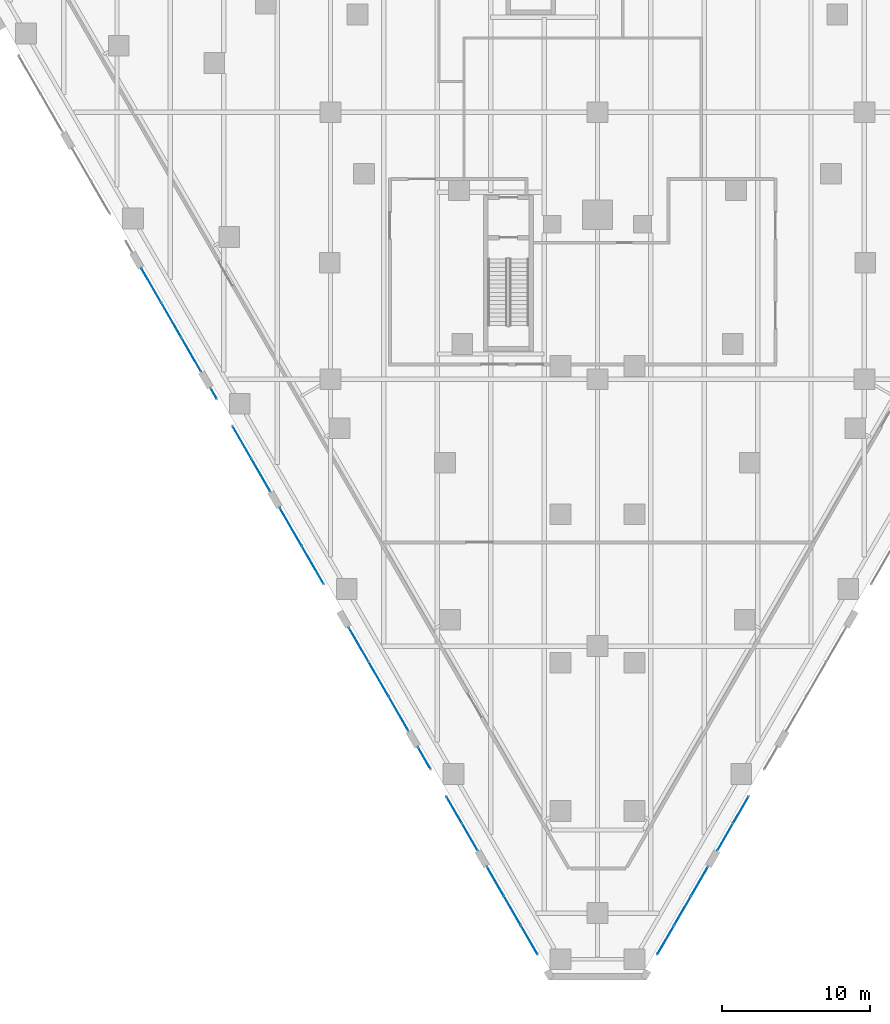
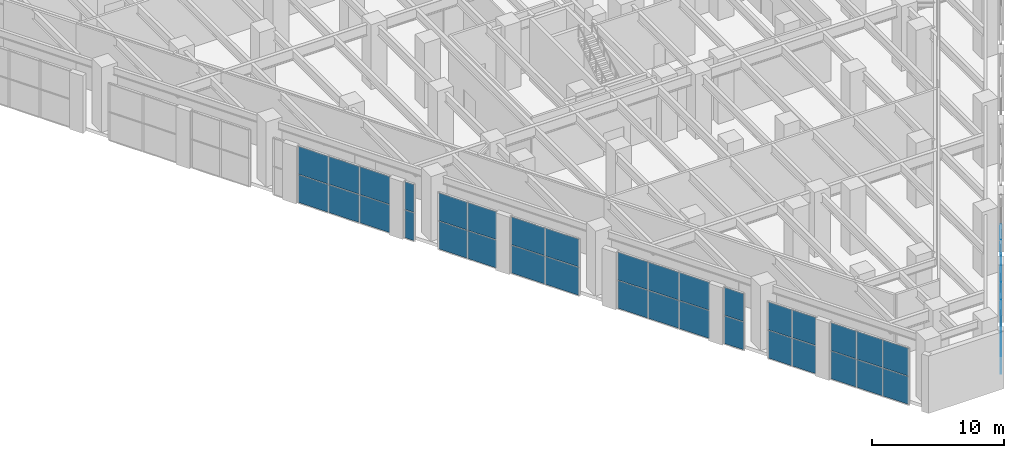
# One storey, part 24 of 37: 44 plates, 10 elements without a shape of their own.
"""IFC4 building model written with IfcOpenShell, lengths in metres."""

from ifc_helpers import new_model, si_unit, direction, frame, origin, origin_2d, place, context, subcontext, project, spatial, rectangle, extrude, material, layer, layer_set, type_object, element, aggregate, save


model = new_model("IFC4")

# Units and contexts
model_context = context("Model", 3, precision=1e-05, world=origin(), true_north=direction((0.0, 1.0)))
body_context = subcontext(model_context, "Body", "Model", "MODEL_VIEW")
ifc_project = project(units=[si_unit("LENGTHUNIT", "METRE"), si_unit("AREAUNIT", "SQUARE_METRE"), si_unit("VOLUMEUNIT", "CUBIC_METRE"), si_unit("PLANEANGLEUNIT", "RADIAN"), si_unit("MASSUNIT", "GRAM", prefix="KILO")], contexts=[model_context])

# Site, building, storey
site_placement = place(None, origin())
site = spatial("IfcSite", under=ifc_project, at=site_placement, CompositionType="ELEMENT")
building_placement = place(site_placement, origin())
building = spatial("IfcBuilding", under=site, at=building_placement, Name="Aloe Facet Convention Tower", CompositionType="ELEMENT")
storey_placement = place(building_placement, frame((0.0, 0.0, 7.5)))
storey = spatial("IfcBuildingStorey", under=building, at=storey_placement, Name="L01", CompositionType="ELEMENT", Elevation=7.5)

# Curtain wall, plates
ifc_material_1 = material(Name="Aluminium, anodised", Category="aluminium")
curtain_wall_type = type_object("IfcCurtainWallType", Name="EV-CW-SHOP", PredefinedType="USERDEFINED", material=ifc_material_1)
curtain_wall_1_placement = place(storey_placement, origin())
curtain_wall_1 = element("IfcCurtainWall", 1, at=curtain_wall_1_placement, inside=storey, type_object=curtain_wall_type, Name="CW-L01-W12", ObjectType="STICK SHOPFRONT GLAZING", PredefinedType="USERDEFINED")
ifc_material_2 = material(Name="Clear double glazing", Category="glass")
ifc_layer = layer(ifc_material_2, 0.028076171875)
ifc_layer_set = layer_set([ifc_layer], Name="EV-PANEL-SHOP")
plate_type = type_object("IfcPlateType", Name="EV-PANEL-SHOP", PredefinedType="CURTAIN_PANEL", material=ifc_layer_set)
plate_1_placement = place(storey_placement, frame((49.9150390625, 87.3291015625, -0.23974609375), z_axis=(0.0, 0.0, 1.0), x_axis=(0.500000000015, -0.866025403776, 0.0)))
plate_1 = element("IfcPlate", 2, at=plate_1_placement, type_object=plate_type, Name="CW-L01-W12 panel 1.1", PredefinedType="CURTAIN_PANEL", context=body_context, shape_type="SweptSolid", body=[
    extrude(rectangle(XDim=2.6171875, YDim=0.028076171875, at=origin_2d()), origin(), (0.0, 0.0, 1.0), 2.566162109375),
])
plate_2_placement = place(storey_placement, frame((49.9150390625, 87.3291015625, 2.38623046875), z_axis=(0.0, 0.0, 1.0), x_axis=(0.500000000015, -0.866025403776, 0.0)))
plate_2 = element("IfcPlate", 3, at=plate_2_placement, type_object=plate_type, Name="CW-L01-W12 panel 1.2", PredefinedType="CURTAIN_PANEL", context=body_context, shape_type="SweptSolid", body=[
    extrude(rectangle(XDim=2.6171875, YDim=0.028076171875, at=origin_2d()), origin(), (0.0, 0.0, 1.0), 2.566162109375),
])
plate_3_placement = place(storey_placement, frame((51.260986328125, 84.997802734375, -0.23974609375), z_axis=(0.0, 0.0, 1.0), x_axis=(0.500000000015, -0.866025403776, 0.0)))
plate_3 = element("IfcPlate", 4, at=plate_3_placement, type_object=plate_type, Name="CW-L01-W12 panel 2.1", PredefinedType="CURTAIN_PANEL", context=body_context, shape_type="SweptSolid", body=[
    extrude(rectangle(XDim=2.647216796875, YDim=0.028076171875, at=origin_2d()), origin(), (0.0, 0.0, 1.0), 2.566162109375),
])
plate_4_placement = place(storey_placement, frame((51.260986328125, 84.997802734375, 2.38623046875), z_axis=(0.0, 0.0, 1.0), x_axis=(0.500000000015, -0.866025403776, 0.0)))
plate_4 = element("IfcPlate", 5, at=plate_4_placement, type_object=plate_type, Name="CW-L01-W12 panel 2.2", PredefinedType="CURTAIN_PANEL", context=body_context, shape_type="SweptSolid", body=[
    extrude(rectangle(XDim=2.647216796875, YDim=0.028076171875, at=origin_2d()), origin(), (0.0, 0.0, 1.0), 2.566162109375),
])
plate_5_placement = place(storey_placement, frame((52.607177734375, 82.666259765625, -0.23974609375), z_axis=(0.0, 0.0, 1.0), x_axis=(0.500000000015, -0.866025403776, 0.0)))
plate_5 = element("IfcPlate", 6, at=plate_5_placement, type_object=plate_type, Name="CW-L01-W12 panel 3.1", PredefinedType="CURTAIN_PANEL", context=body_context, shape_type="SweptSolid", body=[
    extrude(rectangle(XDim=2.6171875, YDim=0.028076171875, at=origin_2d()), origin(), (0.0, 0.0, 1.0), 2.566162109375),
])
plate_6_placement = place(storey_placement, frame((52.607177734375, 82.666259765625, 2.38623046875), z_axis=(0.0, 0.0, 1.0), x_axis=(0.500000000015, -0.866025403776, 0.0)))
plate_6 = element("IfcPlate", 7, at=plate_6_placement, type_object=plate_type, Name="CW-L01-W12 panel 3.2", PredefinedType="CURTAIN_PANEL", context=body_context, shape_type="SweptSolid", body=[
    extrude(rectangle(XDim=2.6171875, YDim=0.028076171875, at=origin_2d()), origin(), (0.0, 0.0, 1.0), 2.566162109375),
])
aggregate(curtain_wall_1, [plate_1, plate_2, plate_3, plate_4, plate_5, plate_6])

curtain_wall_2_placement = place(storey_placement, origin())
curtain_wall_2 = element("IfcCurtainWall", 8, at=curtain_wall_2_placement, inside=storey, type_object=curtain_wall_type, Name="CW-L01-W14-1", ObjectType="STICK SHOPFRONT GLAZING", PredefinedType="USERDEFINED")
plate_7_placement = place(storey_placement, frame((54.1220703125, 80.042236328125, -0.23974609375), z_axis=(0.0, 0.0, 1.0), x_axis=(0.499999999849, -0.866025403872, 0.0)))
plate_7 = element("IfcPlate", 9, at=plate_7_placement, type_object=plate_type, Name="CW-L01-W14-1 panel 1.1", PredefinedType="CURTAIN_PANEL", context=body_context, shape_type="SweptSolid", body=[
    extrude(rectangle(XDim=0.802978515625, YDim=0.028076171875, at=origin_2d()), origin(), (0.0, 0.0, 1.0), 2.566162109375),
])
plate_8_placement = place(storey_placement, frame((54.1220703125, 80.042236328125, 2.38623046875), z_axis=(0.0, 0.0, 1.0), x_axis=(0.499999999849, -0.866025403872, 0.0)))
plate_8 = element("IfcPlate", 10, at=plate_8_placement, type_object=plate_type, Name="CW-L01-W14-1 panel 1.2", PredefinedType="CURTAIN_PANEL", context=body_context, shape_type="SweptSolid", body=[
    extrude(rectangle(XDim=0.802978515625, YDim=0.028076171875, at=origin_2d()), origin(), (0.0, 0.0, 1.0), 2.566162109375),
])
aggregate(curtain_wall_2, [plate_7, plate_8])

curtain_wall_3_placement = place(storey_placement, origin())
curtain_wall_3 = element("IfcCurtainWall", 11, at=curtain_wall_3_placement, inside=storey, type_object=curtain_wall_type, Name="CW-L01-W14-2", ObjectType="STICK SHOPFRONT GLAZING", PredefinedType="USERDEFINED")
plate_9_placement = place(storey_placement, frame((56.028564453125, 76.740234375, -0.23974609375), z_axis=(0.0, 0.0, 1.0), x_axis=(0.50000000003, -0.866025403767, 0.0)))
plate_9 = element("IfcPlate", 12, at=plate_9_placement, type_object=plate_type, Name="CW-L01-W14-2 panel 1.1", PredefinedType="CURTAIN_PANEL", context=body_context, shape_type="SweptSolid", body=[
    extrude(rectangle(XDim=2.484619140625, YDim=0.028076171875, at=origin_2d()), origin(), (0.0, 0.0, 1.0), 2.566162109375),
])
plate_10_placement = place(storey_placement, frame((56.028564453125, 76.740234375, 2.38623046875), z_axis=(0.0, 0.0, 1.0), x_axis=(0.50000000003, -0.866025403767, 0.0)))
plate_10 = element("IfcPlate", 13, at=plate_10_placement, type_object=plate_type, Name="CW-L01-W14-2 panel 1.2", PredefinedType="CURTAIN_PANEL", context=body_context, shape_type="SweptSolid", body=[
    extrude(rectangle(XDim=2.484619140625, YDim=0.028076171875, at=origin_2d()), origin(), (0.0, 0.0, 1.0), 2.566162109375),
])
plate_11_placement = place(storey_placement, frame((57.301025390625, 74.536376953125, -0.23974609375), z_axis=(0.0, 0.0, 1.0), x_axis=(0.50000000003, -0.866025403767, 0.0)))
plate_11 = element("IfcPlate", 14, at=plate_11_placement, type_object=plate_type, Name="CW-L01-W14-2 panel 2.1", PredefinedType="CURTAIN_PANEL", context=body_context, shape_type="SweptSolid", body=[
    extrude(rectangle(XDim=2.484619140625, YDim=0.028076171875, at=origin_2d()), origin(), (0.0, 0.0, 1.0), 2.566162109375),
])
plate_12_placement = place(storey_placement, frame((57.301025390625, 74.536376953125, 2.38623046875), z_axis=(0.0, 0.0, 1.0), x_axis=(0.50000000003, -0.866025403767, 0.0)))
plate_12 = element("IfcPlate", 15, at=plate_12_placement, type_object=plate_type, Name="CW-L01-W14-2 panel 2.2", PredefinedType="CURTAIN_PANEL", context=body_context, shape_type="SweptSolid", body=[
    extrude(rectangle(XDim=2.484619140625, YDim=0.028076171875, at=origin_2d()), origin(), (0.0, 0.0, 1.0), 2.566162109375),
])
aggregate(curtain_wall_3, [plate_9, plate_10, plate_11, plate_12])

curtain_wall_4_placement = place(storey_placement, origin())
curtain_wall_4 = element("IfcCurtainWall", 16, at=curtain_wall_4_placement, inside=storey, type_object=curtain_wall_type, Name="CW-L01-W16", ObjectType="STICK SHOPFRONT GLAZING", PredefinedType="USERDEFINED")
plate_13_placement = place(storey_placement, frame((59.31201171875, 71.05322265625, -0.23974609375), z_axis=(0.0, 0.0, 1.0), x_axis=(0.50000000003, -0.866025403767, 0.0)))
plate_13 = element("IfcPlate", 17, at=plate_13_placement, type_object=plate_type, Name="CW-L01-W16 panel 1.1", PredefinedType="CURTAIN_PANEL", context=body_context, shape_type="SweptSolid", body=[
    extrude(rectangle(XDim=2.91943359375, YDim=0.028076171875, at=origin_2d()), origin(), (0.0, 0.0, 1.0), 2.566162109375),
])
plate_14_placement = place(storey_placement, frame((59.31201171875, 71.05322265625, 2.38623046875), z_axis=(0.0, 0.0, 1.0), x_axis=(0.50000000003, -0.866025403767, 0.0)))
plate_14 = element("IfcPlate", 18, at=plate_14_placement, type_object=plate_type, Name="CW-L01-W16 panel 1.2", PredefinedType="CURTAIN_PANEL", context=body_context, shape_type="SweptSolid", body=[
    extrude(rectangle(XDim=2.91943359375, YDim=0.028076171875, at=origin_2d()), origin(), (0.0, 0.0, 1.0), 2.566162109375),
])
plate_15_placement = place(storey_placement, frame((60.8017578125, 68.47314453125, -0.23974609375), z_axis=(0.0, 0.0, 1.0), x_axis=(0.50000000003, -0.866025403767, 0.0)))
plate_15 = element("IfcPlate", 19, at=plate_15_placement, type_object=plate_type, Name="CW-L01-W16 panel 2.1", PredefinedType="CURTAIN_PANEL", context=body_context, shape_type="SweptSolid", body=[
    extrude(rectangle(XDim=2.91943359375, YDim=0.028076171875, at=origin_2d()), origin(), (0.0, 0.0, 1.0), 2.566162109375),
])
plate_16_placement = place(storey_placement, frame((60.8017578125, 68.47314453125, 2.38623046875), z_axis=(0.0, 0.0, 1.0), x_axis=(0.50000000003, -0.866025403767, 0.0)))
plate_16 = element("IfcPlate", 20, at=plate_16_placement, type_object=plate_type, Name="CW-L01-W16 panel 2.2", PredefinedType="CURTAIN_PANEL", context=body_context, shape_type="SweptSolid", body=[
    extrude(rectangle(XDim=2.91943359375, YDim=0.028076171875, at=origin_2d()), origin(), (0.0, 0.0, 1.0), 2.566162109375),
])
aggregate(curtain_wall_4, [plate_13, plate_14, plate_15, plate_16])

curtain_wall_5_placement = place(storey_placement, origin())
curtain_wall_5 = element("IfcCurtainWall", 21, at=curtain_wall_5_placement, inside=storey, type_object=curtain_wall_type, Name="CW-L01-W18", ObjectType="STICK SHOPFRONT GLAZING", PredefinedType="USERDEFINED")
plate_17_placement = place(storey_placement, frame((63.89697265625, 63.111572265625, -0.23974609375), z_axis=(0.0, 0.0, 1.0), x_axis=(0.499999999924, -0.866025403828, 0.0)))
plate_17 = element("IfcPlate", 22, at=plate_17_placement, type_object=plate_type, Name="CW-L01-W18 panel 1.1", PredefinedType="CURTAIN_PANEL", context=body_context, shape_type="SweptSolid", body=[
    extrude(rectangle(XDim=2.6171875, YDim=0.028076171875, at=origin_2d()), origin(), (0.0, 0.0, 1.0), 2.566162109375),
])
plate_18_placement = place(storey_placement, frame((63.89697265625, 63.111572265625, 2.38623046875), z_axis=(0.0, 0.0, 1.0), x_axis=(0.499999999924, -0.866025403828, 0.0)))
plate_18 = element("IfcPlate", 23, at=plate_18_placement, type_object=plate_type, Name="CW-L01-W18 panel 1.2", PredefinedType="CURTAIN_PANEL", context=body_context, shape_type="SweptSolid", body=[
    extrude(rectangle(XDim=2.6171875, YDim=0.028076171875, at=origin_2d()), origin(), (0.0, 0.0, 1.0), 2.566162109375),
])
plate_19_placement = place(storey_placement, frame((65.2431640625, 60.780029296875, -0.23974609375), z_axis=(0.0, 0.0, 1.0), x_axis=(0.499999999924, -0.866025403828, 0.0)))
plate_19 = element("IfcPlate", 24, at=plate_19_placement, type_object=plate_type, Name="CW-L01-W18 panel 2.1", PredefinedType="CURTAIN_PANEL", context=body_context, shape_type="SweptSolid", body=[
    extrude(rectangle(XDim=2.647216796875, YDim=0.028076171875, at=origin_2d()), origin(), (0.0, 0.0, 1.0), 2.566162109375),
])
plate_20_placement = place(storey_placement, frame((65.2431640625, 60.780029296875, 2.38623046875), z_axis=(0.0, 0.0, 1.0), x_axis=(0.499999999924, -0.866025403828, 0.0)))
plate_20 = element("IfcPlate", 25, at=plate_20_placement, type_object=plate_type, Name="CW-L01-W18 panel 2.2", PredefinedType="CURTAIN_PANEL", context=body_context, shape_type="SweptSolid", body=[
    extrude(rectangle(XDim=2.647216796875, YDim=0.028076171875, at=origin_2d()), origin(), (0.0, 0.0, 1.0), 2.566162109375),
])
plate_21_placement = place(storey_placement, frame((66.589111328125, 58.44873046875, -0.23974609375), z_axis=(0.0, 0.0, 1.0), x_axis=(0.499999999924, -0.866025403828, 0.0)))
plate_21 = element("IfcPlate", 26, at=plate_21_placement, type_object=plate_type, Name="CW-L01-W18 panel 3.1", PredefinedType="CURTAIN_PANEL", context=body_context, shape_type="SweptSolid", body=[
    extrude(rectangle(XDim=2.6171875, YDim=0.028076171875, at=origin_2d()), origin(), (0.0, 0.0, 1.0), 2.566162109375),
])
plate_22_placement = place(storey_placement, frame((66.589111328125, 58.44873046875, 2.38623046875), z_axis=(0.0, 0.0, 1.0), x_axis=(0.499999999924, -0.866025403828, 0.0)))
plate_22 = element("IfcPlate", 27, at=plate_22_placement, type_object=plate_type, Name="CW-L01-W18 panel 3.2", PredefinedType="CURTAIN_PANEL", context=body_context, shape_type="SweptSolid", body=[
    extrude(rectangle(XDim=2.6171875, YDim=0.028076171875, at=origin_2d()), origin(), (0.0, 0.0, 1.0), 2.566162109375),
])
aggregate(curtain_wall_5, [plate_17, plate_18, plate_19, plate_20, plate_21, plate_22])

curtain_wall_6_placement = place(storey_placement, origin())
curtain_wall_6 = element("IfcCurtainWall", 28, at=curtain_wall_6_placement, inside=storey, type_object=curtain_wall_type, Name="CW-L01-W20-1", ObjectType="STICK SHOPFRONT GLAZING", PredefinedType="USERDEFINED")
plate_23_placement = place(storey_placement, frame((68.32177734375, 55.447998046875, -0.23974609375), z_axis=(0.0, 0.0, 1.0), x_axis=(0.500000000121, -0.866025403715, 0.0)))
plate_23 = element("IfcPlate", 29, at=plate_23_placement, type_object=plate_type, Name="CW-L01-W20-1 panel 1.1", PredefinedType="CURTAIN_PANEL", context=body_context, shape_type="SweptSolid", body=[
    extrude(rectangle(XDim=1.6728515625, YDim=0.028076171875, at=origin_2d()), origin(), (0.0, 0.0, 1.0), 2.566162109375),
])
plate_24_placement = place(storey_placement, frame((68.32177734375, 55.447998046875, 2.38623046875), z_axis=(0.0, 0.0, 1.0), x_axis=(0.500000000121, -0.866025403715, 0.0)))
plate_24 = element("IfcPlate", 30, at=plate_24_placement, type_object=plate_type, Name="CW-L01-W20-1 panel 1.2", PredefinedType="CURTAIN_PANEL", context=body_context, shape_type="SweptSolid", body=[
    extrude(rectangle(XDim=1.6728515625, YDim=0.028076171875, at=origin_2d()), origin(), (0.0, 0.0, 1.0), 2.566162109375),
])
aggregate(curtain_wall_6, [plate_23, plate_24])

curtain_wall_7_placement = place(storey_placement, origin())
curtain_wall_7 = element("IfcCurtainWall", 31, at=curtain_wall_7_placement, inside=storey, type_object=curtain_wall_type, Name="CW-L01-W20-2", ObjectType="STICK SHOPFRONT GLAZING", PredefinedType="USERDEFINED")
plate_25_placement = place(storey_placement, frame((70.3369140625, 51.95751953125, -0.23974609375), z_axis=(0.0, 0.0, 1.0), x_axis=(0.499999999955, -0.866025403811, 0.0)))
plate_25 = element("IfcPlate", 32, at=plate_25_placement, type_object=plate_type, Name="CW-L01-W20-2 panel 1.1", PredefinedType="CURTAIN_PANEL", context=body_context, shape_type="SweptSolid", body=[
    extrude(rectangle(XDim=2.0498046875, YDim=0.028076171875, at=origin_2d()), origin(), (0.0, 0.0, 1.0), 2.566162109375),
])
plate_26_placement = place(storey_placement, frame((70.3369140625, 51.95751953125, 2.38623046875), z_axis=(0.0, 0.0, 1.0), x_axis=(0.499999999955, -0.866025403811, 0.0)))
plate_26 = element("IfcPlate", 33, at=plate_26_placement, type_object=plate_type, Name="CW-L01-W20-2 panel 1.2", PredefinedType="CURTAIN_PANEL", context=body_context, shape_type="SweptSolid", body=[
    extrude(rectangle(XDim=2.0498046875, YDim=0.028076171875, at=origin_2d()), origin(), (0.0, 0.0, 1.0), 2.566162109375),
])
plate_27_placement = place(storey_placement, frame((71.391845703125, 50.13037109375, -0.23974609375), z_axis=(0.0, 0.0, 1.0), x_axis=(0.499999999955, -0.866025403811, 0.0)))
plate_27 = element("IfcPlate", 34, at=plate_27_placement, type_object=plate_type, Name="CW-L01-W20-2 panel 2.1", PredefinedType="CURTAIN_PANEL", context=body_context, shape_type="SweptSolid", body=[
    extrude(rectangle(XDim=2.0498046875, YDim=0.028076171875, at=origin_2d()), origin(), (0.0, 0.0, 1.0), 2.566162109375),
])
plate_28_placement = place(storey_placement, frame((71.391845703125, 50.13037109375, 2.38623046875), z_axis=(0.0, 0.0, 1.0), x_axis=(0.499999999955, -0.866025403811, 0.0)))
plate_28 = element("IfcPlate", 35, at=plate_28_placement, type_object=plate_type, Name="CW-L01-W20-2 panel 2.2", PredefinedType="CURTAIN_PANEL", context=body_context, shape_type="SweptSolid", body=[
    extrude(rectangle(XDim=2.0498046875, YDim=0.028076171875, at=origin_2d()), origin(), (0.0, 0.0, 1.0), 2.566162109375),
])
aggregate(curtain_wall_7, [plate_25, plate_26, plate_27, plate_28])

curtain_wall_8_placement = place(storey_placement, origin())
curtain_wall_8 = element("IfcCurtainWall", 36, at=curtain_wall_8_placement, inside=storey, type_object=curtain_wall_type, Name="CW-L01-W22", ObjectType="STICK SHOPFRONT GLAZING", PredefinedType="USERDEFINED")
plate_29_placement = place(storey_placement, frame((73.11572265625, 47.14453125, -0.23974609375), z_axis=(0.0, 0.0, 1.0), x_axis=(0.500000000015, -0.866025403776, 0.0)))
plate_29 = element("IfcPlate", 37, at=plate_29_placement, type_object=plate_type, Name="CW-L01-W22 panel 1.1", PredefinedType="CURTAIN_PANEL", context=body_context, shape_type="SweptSolid", body=[
    extrude(rectangle(XDim=2.206298828125, YDim=0.028076171875, at=origin_2d()), origin(), (0.0, 0.0, 1.0), 2.566162109375),
])
plate_30_placement = place(storey_placement, frame((73.11572265625, 47.14453125, 2.38623046875), z_axis=(0.0, 0.0, 1.0), x_axis=(0.500000000015, -0.866025403776, 0.0)))
plate_30 = element("IfcPlate", 38, at=plate_30_placement, type_object=plate_type, Name="CW-L01-W22 panel 1.2", PredefinedType="CURTAIN_PANEL", context=body_context, shape_type="SweptSolid", body=[
    extrude(rectangle(XDim=2.206298828125, YDim=0.028076171875, at=origin_2d()), origin(), (0.0, 0.0, 1.0), 2.566162109375),
])
plate_31_placement = place(storey_placement, frame((74.25634765625, 45.1689453125, -0.23974609375), z_axis=(0.0, 0.0, 1.0), x_axis=(0.500000000015, -0.866025403776, 0.0)))
plate_31 = element("IfcPlate", 39, at=plate_31_placement, type_object=plate_type, Name="CW-L01-W22 panel 2.1", PredefinedType="CURTAIN_PANEL", context=body_context, shape_type="SweptSolid", body=[
    extrude(rectangle(XDim=2.236328125, YDim=0.028076171875, at=origin_2d()), origin(), (0.0, 0.0, 1.0), 2.566162109375),
])
plate_32_placement = place(storey_placement, frame((74.25634765625, 45.1689453125, 2.38623046875), z_axis=(0.0, 0.0, 1.0), x_axis=(0.500000000015, -0.866025403776, 0.0)))
plate_32 = element("IfcPlate", 40, at=plate_32_placement, type_object=plate_type, Name="CW-L01-W22 panel 2.2", PredefinedType="CURTAIN_PANEL", context=body_context, shape_type="SweptSolid", body=[
    extrude(rectangle(XDim=2.236328125, YDim=0.028076171875, at=origin_2d()), origin(), (0.0, 0.0, 1.0), 2.566162109375),
])
plate_33_placement = place(storey_placement, frame((75.39697265625, 43.193359375, -0.23974609375), z_axis=(0.0, 0.0, 1.0), x_axis=(0.500000000015, -0.866025403776, 0.0)))
plate_33 = element("IfcPlate", 41, at=plate_33_placement, type_object=plate_type, Name="CW-L01-W22 panel 3.1", PredefinedType="CURTAIN_PANEL", context=body_context, shape_type="SweptSolid", body=[
    extrude(rectangle(XDim=2.206298828125, YDim=0.028076171875, at=origin_2d()), origin(), (0.0, 0.0, 1.0), 2.566162109375),
])
plate_34_placement = place(storey_placement, frame((75.39697265625, 43.193359375, 2.38623046875), z_axis=(0.0, 0.0, 1.0), x_axis=(0.500000000015, -0.866025403776, 0.0)))
plate_34 = element("IfcPlate", 42, at=plate_34_placement, type_object=plate_type, Name="CW-L01-W22 panel 3.2", PredefinedType="CURTAIN_PANEL", context=body_context, shape_type="SweptSolid", body=[
    extrude(rectangle(XDim=2.206298828125, YDim=0.028076171875, at=origin_2d()), origin(), (0.0, 0.0, 1.0), 2.566162109375),
])
aggregate(curtain_wall_8, [plate_29, plate_30, plate_31, plate_32, plate_33, plate_34])

curtain_wall_9_placement = place(storey_placement, origin())
curtain_wall_9 = element("IfcCurtainWall", 43, at=curtain_wall_9_placement, inside=storey, type_object=curtain_wall_type, Name="CW-L01-E02", ObjectType="STICK SHOPFRONT GLAZING", PredefinedType="USERDEFINED")
plate_35_placement = place(storey_placement, frame((84.60302734375, 43.193359375, -0.23974609375), z_axis=(0.0, 0.0, 1.0), x_axis=(0.500000000015, 0.866025403776, 0.0)))
plate_35 = element("IfcPlate", 44, at=plate_35_placement, type_object=plate_type, Name="CW-L01-E02 panel 1.1", PredefinedType="CURTAIN_PANEL", context=body_context, shape_type="SweptSolid", body=[
    extrude(rectangle(XDim=2.206298828125, YDim=0.028076171875, at=origin_2d()), origin(), (0.0, 0.0, 1.0), 2.566162109375),
])
plate_36_placement = place(storey_placement, frame((84.60302734375, 43.193359375, 2.38623046875), z_axis=(0.0, 0.0, 1.0), x_axis=(0.500000000015, 0.866025403776, 0.0)))
plate_36 = element("IfcPlate", 45, at=plate_36_placement, type_object=plate_type, Name="CW-L01-E02 panel 1.2", PredefinedType="CURTAIN_PANEL", context=body_context, shape_type="SweptSolid", body=[
    extrude(rectangle(XDim=2.206298828125, YDim=0.028076171875, at=origin_2d()), origin(), (0.0, 0.0, 1.0), 2.566162109375),
])
plate_37_placement = place(storey_placement, frame((85.74365234375, 45.1689453125, -0.23974609375), z_axis=(0.0, 0.0, 1.0), x_axis=(0.500000000015, 0.866025403776, 0.0)))
plate_37 = element("IfcPlate", 46, at=plate_37_placement, type_object=plate_type, Name="CW-L01-E02 panel 2.1", PredefinedType="CURTAIN_PANEL", context=body_context, shape_type="SweptSolid", body=[
    extrude(rectangle(XDim=2.236328125, YDim=0.028076171875, at=origin_2d()), origin(), (0.0, 0.0, 1.0), 2.566162109375),
])
plate_38_placement = place(storey_placement, frame((85.74365234375, 45.1689453125, 2.38623046875), z_axis=(0.0, 0.0, 1.0), x_axis=(0.500000000015, 0.866025403776, 0.0)))
plate_38 = element("IfcPlate", 47, at=plate_38_placement, type_object=plate_type, Name="CW-L01-E02 panel 2.2", PredefinedType="CURTAIN_PANEL", context=body_context, shape_type="SweptSolid", body=[
    extrude(rectangle(XDim=2.236328125, YDim=0.028076171875, at=origin_2d()), origin(), (0.0, 0.0, 1.0), 2.566162109375),
])
plate_39_placement = place(storey_placement, frame((86.88427734375, 47.14453125, -0.23974609375), z_axis=(0.0, 0.0, 1.0), x_axis=(0.500000000015, 0.866025403776, 0.0)))
plate_39 = element("IfcPlate", 48, at=plate_39_placement, type_object=plate_type, Name="CW-L01-E02 panel 3.1", PredefinedType="CURTAIN_PANEL", context=body_context, shape_type="SweptSolid", body=[
    extrude(rectangle(XDim=2.206298828125, YDim=0.028076171875, at=origin_2d()), origin(), (0.0, 0.0, 1.0), 2.566162109375),
])
plate_40_placement = place(storey_placement, frame((86.88427734375, 47.14453125, 2.38623046875), z_axis=(0.0, 0.0, 1.0), x_axis=(0.500000000015, 0.866025403776, 0.0)))
plate_40 = element("IfcPlate", 49, at=plate_40_placement, type_object=plate_type, Name="CW-L01-E02 panel 3.2", PredefinedType="CURTAIN_PANEL", context=body_context, shape_type="SweptSolid", body=[
    extrude(rectangle(XDim=2.206298828125, YDim=0.028076171875, at=origin_2d()), origin(), (0.0, 0.0, 1.0), 2.566162109375),
])
aggregate(curtain_wall_9, [plate_35, plate_36, plate_37, plate_38, plate_39, plate_40])

curtain_wall_10_placement = place(storey_placement, origin())
curtain_wall_10 = element("IfcCurtainWall", 50, at=curtain_wall_10_placement, inside=storey, type_object=curtain_wall_type, Name="CW-L01-E04-1", ObjectType="STICK SHOPFRONT GLAZING", PredefinedType="USERDEFINED")
plate_41_placement = place(storey_placement, frame((88.608154296875, 50.13037109375, -0.23974609375), z_axis=(0.0, 0.0, 1.0), x_axis=(0.499999999955, 0.866025403811, 0.0)))
plate_41 = element("IfcPlate", 51, at=plate_41_placement, type_object=plate_type, Name="CW-L01-E04-1 panel 1.1", PredefinedType="CURTAIN_PANEL", context=body_context, shape_type="SweptSolid", body=[
    extrude(rectangle(XDim=2.0498046875, YDim=0.028076171875, at=origin_2d()), origin(), (0.0, 0.0, 1.0), 2.566162109375),
])
plate_42_placement = place(storey_placement, frame((88.608154296875, 50.13037109375, 2.38623046875), z_axis=(0.0, 0.0, 1.0), x_axis=(0.499999999955, 0.866025403811, 0.0)))
plate_42 = element("IfcPlate", 52, at=plate_42_placement, type_object=plate_type, Name="CW-L01-E04-1 panel 1.2", PredefinedType="CURTAIN_PANEL", context=body_context, shape_type="SweptSolid", body=[
    extrude(rectangle(XDim=2.0498046875, YDim=0.028076171875, at=origin_2d()), origin(), (0.0, 0.0, 1.0), 2.566162109375),
])
plate_43_placement = place(storey_placement, frame((89.6630859375, 51.95751953125, -0.23974609375), z_axis=(0.0, 0.0, 1.0), x_axis=(0.499999999955, 0.866025403811, 0.0)))
plate_43 = element("IfcPlate", 53, at=plate_43_placement, type_object=plate_type, Name="CW-L01-E04-1 panel 2.1", PredefinedType="CURTAIN_PANEL", context=body_context, shape_type="SweptSolid", body=[
    extrude(rectangle(XDim=2.0498046875, YDim=0.028076171875, at=origin_2d()), origin(), (0.0, 0.0, 1.0), 2.566162109375),
])
plate_44_placement = place(storey_placement, frame((89.6630859375, 51.95751953125, 2.38623046875), z_axis=(0.0, 0.0, 1.0), x_axis=(0.499999999955, 0.866025403811, 0.0)))
plate_44 = element("IfcPlate", 54, at=plate_44_placement, type_object=plate_type, Name="CW-L01-E04-1 panel 2.2", PredefinedType="CURTAIN_PANEL", context=body_context, shape_type="SweptSolid", body=[
    extrude(rectangle(XDim=2.0498046875, YDim=0.028076171875, at=origin_2d()), origin(), (0.0, 0.0, 1.0), 2.566162109375),
])
aggregate(curtain_wall_10, [plate_41, plate_42, plate_43, plate_44])

save(model, "model.ifc")
